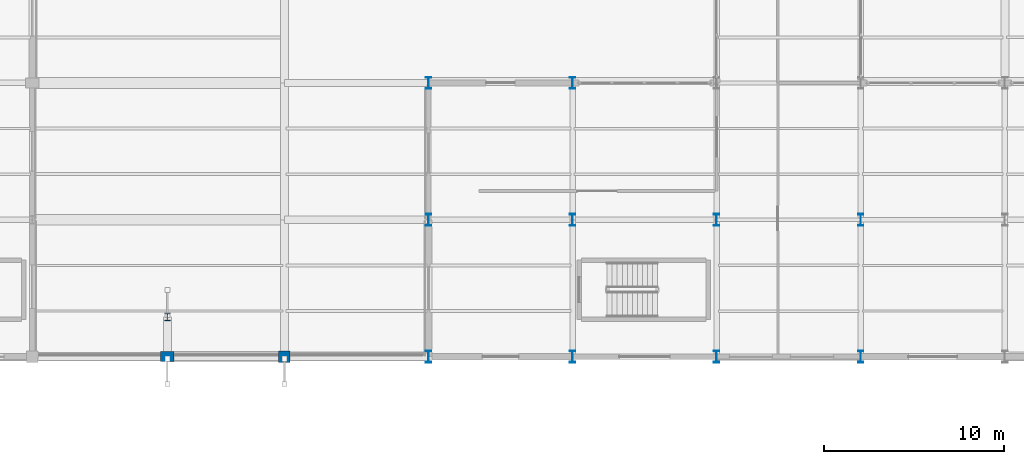
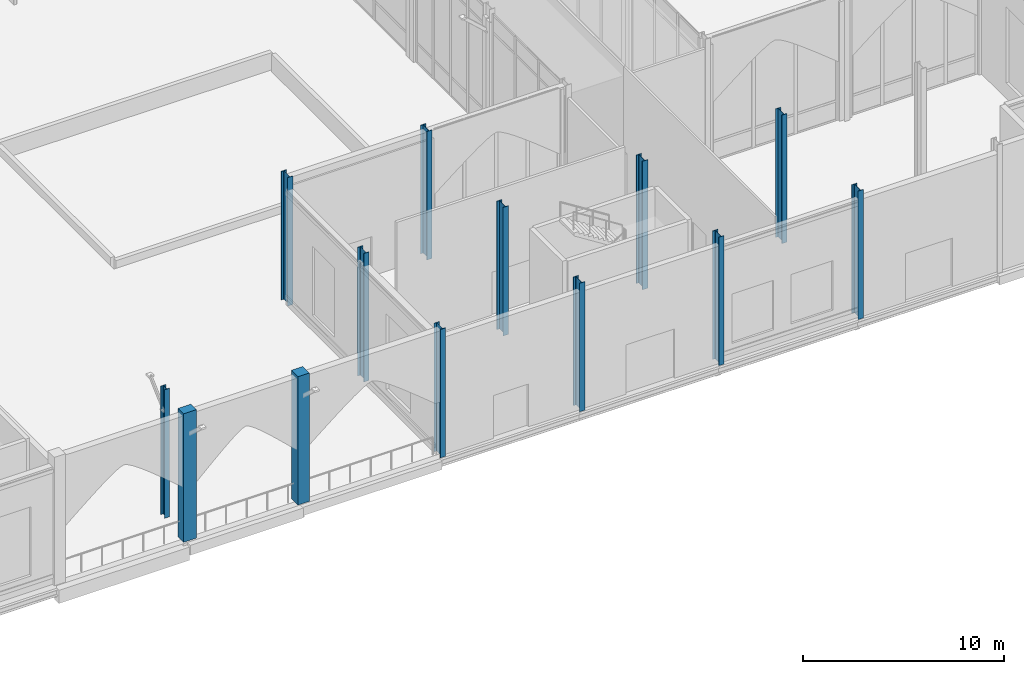
# One storey, part 5 of 176: 13 columns.
"""IFC4 building model written with IfcOpenShell, lengths in metres."""

import ifcopenshell
import ifcopenshell.guid

model = None  # the IFC model being written
_history = None  # IfcOwnerHistory: only IFC2X3 demands one
_inside = {}  # id of a spatial element -> (the spatial element, [elements in it])
_under = {}  # id of a project, library or spatial element -> (it, [spatial elements below it])
_declared = {}  # id of a project -> (the project, [libraries it declares])
_typed = {}  # id of a type object -> (the type object, [elements of that type])
_made_of = {}  # id of a material, layer set ... -> (it, [elements and type objects made of it])


def new_model(schema):
    """Start an empty IFC model of exactly this schema.

    Asked for "IFC4X3", IfcOpenShell would pick the latest addendum, in which some entities
    have other attributes; the version numbers below select the first issue.
    IFC2X3 requires an IfcOwnerHistory on every rooted entity: one is made here for all.
    """
    global model, _history
    if schema == "IFC4X3":
        model = ifcopenshell.file(schema_version=(4, 3, 0, 0))
    else:
        model = ifcopenshell.file(schema=schema)
    _inside.clear()
    _under.clear()
    _declared.clear()
    _typed.clear()
    _made_of.clear()
    _history = None
    if model.schema == "IFC2X3":
        org = make("IfcOrganization", Name="unknown")
        user = make(
            "IfcPersonAndOrganization",
            ThePerson=make("IfcPerson", FamilyName="unknown"),
            TheOrganization=org,
        )
        app = make(
            "IfcApplication",
            ApplicationDeveloper=org,
            Version="unknown",
            ApplicationFullName="unknown",
            ApplicationIdentifier="unknown",
        )
        _history = make(
            "IfcOwnerHistory",
            OwningUser=user,
            OwningApplication=app,
            ChangeAction="ADDED",
            CreationDate=0,
        )
    return model


def make(cls, **values):
    """One entity of the class cls with the attributes given. An attribute that is None is left unset."""
    return model.create_entity(
        cls, **{name: value for name, value in values.items() if value is not None}
    )


def rooted(cls, **values):
    """An entity with a GlobalId (a new one), such as an element, a storey or a relation."""
    return make(cls, GlobalId=ifcopenshell.guid.new(), OwnerHistory=_history, **values)


def si_unit(unit_type, name, prefix=None):
    """IfcSIUnit, for example si_unit("LENGTHUNIT", "METRE", prefix="MILLI")."""
    return make("IfcSIUnit", UnitType=unit_type, Prefix=prefix, Name=name)


def assignment(units):
    """IfcUnitAssignment: the units of a project."""
    return None if units is None else make("IfcUnitAssignment", Units=units)


def point(xyz):
    """IfcCartesianPoint."""
    return None if xyz is None else make("IfcCartesianPoint", Coordinates=xyz)


def direction(xyz):
    """IfcDirection."""
    return None if xyz is None else make("IfcDirection", DirectionRatios=xyz)


def frame(location, z_axis=None, x_axis=None):
    """IfcAxis2Placement3D, a coordinate frame: its origin and axes. An axis left out is left unset."""
    return make(
        "IfcAxis2Placement3D",
        Location=point(location),
        Axis=direction(z_axis),
        RefDirection=direction(x_axis),
    )


def frame_2d(location, x_axis=None):
    """IfcAxis2Placement2D, a coordinate frame in the plane: its origin and x axis."""
    return make(
        "IfcAxis2Placement2D", Location=point(location), RefDirection=direction(x_axis)
    )


def origin():
    """The frame at (0, 0, 0) with its axes left unset."""
    return frame((0.0, 0.0, 0.0))


def origin_2d():
    """The frame at (0, 0) in the plane with its x axis left unset."""
    return frame_2d((0.0, 0.0))


def place(relative_to, where):
    """IfcLocalPlacement: puts the frame where relative to a parent placement (None: the world)."""
    return make(
        "IfcLocalPlacement", PlacementRelTo=relative_to, RelativePlacement=where
    )


def context(
    kind, dimensions, precision=None, world=None, true_north=None, identifier=None
):
    """IfcGeometricRepresentationContext, for example the 3D "Model" context."""
    return make(
        "IfcGeometricRepresentationContext",
        ContextIdentifier=identifier,
        ContextType=kind,
        CoordinateSpaceDimension=dimensions,
        Precision=precision,
        WorldCoordinateSystem=world,
        TrueNorth=true_north,
    )


def subcontext(parent, identifier, kind, view, scale=None):
    """IfcGeometricRepresentationSubContext, for example "Body" below "Model"."""
    return make(
        "IfcGeometricRepresentationSubContext",
        ContextIdentifier=identifier,
        ContextType=kind,
        ParentContext=parent,
        TargetScale=scale,
        TargetView=view,
    )


def project(units=None, contexts=None):
    """IfcProject with its units and contexts."""
    return rooted(
        "IfcProject",
        Name="project",
        RepresentationContexts=contexts,
        UnitsInContext=assignment(units),
    )


def spatial(cls, under=None, at=None, **own):
    """A site, building, storey or space (cls), placed at a placement, below another one or the project."""
    s = rooted(cls, ObjectPlacement=at, **own)
    if under is not None:
        _under.setdefault(under.id(), (under, []))[1].append(s)
    return s


def profile(cls, at=None, kind="AREA", **sizes):
    """A parametric profile (cls). Its sizes go by their IFC names, for example OverallWidth=200.0."""
    return make(cls, ProfileType=kind, Position=at, **sizes)


def rectangle(**sizes):
    """IfcRectangleProfileDef."""
    return profile("IfcRectangleProfileDef", **sizes)


def i_section(**sizes):
    """IfcIShapeProfileDef."""
    return profile("IfcIShapeProfileDef", **sizes)


def extrude(swept, where, along, depth):
    """IfcExtrudedAreaSolid: the profile swept, set in the frame where, extruded along a direction by depth."""
    return make(
        "IfcExtrudedAreaSolid",
        SweptArea=swept,
        Position=where,
        ExtrudedDirection=direction(along),
        Depth=depth,
    )


def shape(context_of_items, identifier, shape_type, items):
    """IfcShapeRepresentation: the items that make up one representation, for example the "Body"."""
    return make(
        "IfcShapeRepresentation",
        ContextOfItems=context_of_items,
        RepresentationIdentifier=identifier,
        RepresentationType=shape_type,
        Items=items,
    )


def material(Name=None, Category=None):
    """IfcMaterial."""
    return make("IfcMaterial", Name=Name, Category=Category)


def material_profile(
    of_material, cross_section, Name=None, Category=None, Priority=None
):
    """IfcMaterialProfile: a cross section and its material."""
    return make(
        "IfcMaterialProfile",
        Name=Name,
        Material=of_material,
        Profile=cross_section,
        Priority=Priority,
        Category=Category,
    )


def profile_set(profiles, Name=None, composite=None):
    """IfcMaterialProfileSet."""
    return make(
        "IfcMaterialProfileSet",
        Name=Name,
        MaterialProfiles=profiles,
        CompositeProfile=composite,
    )


def made_of(thing, what):
    """Note that an element or type object is made of a material, layer set ...; save() writes the relation."""
    if what is not None:
        _made_of.setdefault(what.id(), (what, []))[1].append(thing)
    return thing


def type_object(cls, material=None, **own):
    """A type object (cls), such as IfcWallType, which elements share."""
    return made_of(rooted(cls, **own), material)


def element(
    cls,
    number,
    at=None,
    inside=None,
    cuts=None,
    type_object=None,
    material=None,
    context=None,
    identifier="Body",
    shape_type=None,
    held_by="IfcProductDefinitionShape",
    body=None,
    shapes=None,
    **own,
):
    """One element of the class cls, such as IfcWall. Its Tag is "e" and its number.

    at: its placement. inside: the storey or other place that contains it. cuts: it is an
    opening in that element (IfcRelVoidsElement). A single representation is given by context,
    identifier, shape_type and body (its items); several are given by shapes. held_by: the class
    of the entity that holds the representations. save() writes the other relations.
    """
    e = rooted(cls, Tag="e%d" % number, ObjectPlacement=at, **own)
    if body is not None:
        shapes = [shape(context, identifier, shape_type, body)]
    if shapes is not None:
        e.Representation = make(held_by, Representations=shapes)
    if inside is not None:
        _inside.setdefault(inside.id(), (inside, []))[1].append(e)
    if cuts is not None:
        rooted(
            "IfcRelVoidsElement", RelatingBuildingElement=cuts, RelatedOpeningElement=e
        )
    if type_object is not None:
        _typed.setdefault(type_object.id(), (type_object, []))[1].append(e)
    return made_of(e, material)


def aggregate(whole, parts):
    """IfcRelAggregates: a whole, such as a stair, and the parts it consists of."""
    return rooted("IfcRelAggregates", RelatingObject=whole, RelatedObjects=parts)


def save(model, path):
    """Write the relations noted so far, then the file.

    IfcRelAggregates (storeys below a building ...), IfcRelContainedInSpatialStructure (elements
    in a storey), IfcRelDefinesByType, IfcRelAssociatesMaterial and IfcRelDeclares: one each for
    every whole, place, type object, material and project.
    """
    for whole, parts in _under.values():
        aggregate(whole, parts)
    for where, things in _inside.values():
        rooted(
            "IfcRelContainedInSpatialStructure",
            RelatedElements=things,
            RelatingStructure=where,
        )
    for kind, things in _typed.values():
        rooted("IfcRelDefinesByType", RelatedObjects=things, RelatingType=kind)
    for what, things in _made_of.values():
        rooted("IfcRelAssociatesMaterial", RelatedObjects=things, RelatingMaterial=what)
    for by, libraries in _declared.values():
        rooted("IfcRelDeclares", RelatingContext=by, RelatedDefinitions=libraries)
    model.write(path)


model = new_model("IFC4")

# Units and contexts
model_context = context("Model", 3, precision=1e-05, world=origin(), true_north=direction((0.0, 1.0)))
body_context = subcontext(model_context, "Body", "Model", "MODEL_VIEW")
ifc_project = project(units=[si_unit("LENGTHUNIT", "METRE"), si_unit("AREAUNIT", "SQUARE_METRE"), si_unit("VOLUMEUNIT", "CUBIC_METRE"), si_unit("PLANEANGLEUNIT", "RADIAN"), si_unit("MASSUNIT", "GRAM", prefix="KILO")], contexts=[model_context])

# Site, building, storey
site_placement = place(None, origin())
site = spatial("IfcSite", under=ifc_project, at=site_placement, CompositionType="ELEMENT")
building_placement = place(site_placement, origin())
building = spatial("IfcBuilding", under=site, at=building_placement, Name="Vekula Escarpment Museum", CompositionType="ELEMENT")
storey_placement = place(building_placement, origin())
storey = spatial("IfcBuildingStorey", under=building, at=storey_placement, Name="L01", CompositionType="ELEMENT", Elevation=0.0)

# Columns
ifc_material_1 = material(Name="Steel S355", Category="steel")
ifc_material_profile_1 = material_profile(ifc_material_1, i_section(OverallWidth=0.300048828125, OverallDepth=0.389892578125, WebThickness=0.010986328125, FlangeThickness=0.01904296875, FilletRadius=0.027099609375, at=origin_2d()), Name="HEA 400")
ifc_profile_set_1 = profile_set([ifc_material_profile_1], Name="Steel S355")
column_type_1 = type_object("IfcColumnType", Name="COL-S-HEA400", PredefinedType="COLUMN", material=ifc_profile_set_1)
column_1_placement = place(storey_placement, frame((63.5, 2.199951171875, 0.0), z_axis=(0.0, 0.0, 1.0), x_axis=(1.0, 0.0, 0.0)))
element("IfcColumn", 1, at=column_1_placement, inside=storey, type_object=column_type_1, Name="Column L01 (63.5,2.2)", PredefinedType="COLUMN", context=body_context, shape_type="SweptSolid", body=[
    extrude(i_section(OverallWidth=0.300048828125, OverallDepth=0.389892578125, WebThickness=0.010986328125, FlangeThickness=0.01904296875, FilletRadius=0.027099609375, at=origin_2d()), origin(), (0.0, 0.0, 1.0), 7.800048828125),
])
ifc_material_2 = material(Name="Steel S355", Category="steel")
ifc_material_profile_2 = material_profile(ifc_material_2, i_section(OverallWidth=0.300048828125, OverallDepth=0.64990234375, WebThickness=0.01611328125, FlangeThickness=0.031005859375, FilletRadius=0.027099609375, at=origin_2d()), Name="HEB 650")
ifc_profile_set_2 = profile_set([ifc_material_profile_2], Name="Steel S355")
column_type_2 = type_object("IfcColumnType", Name="COL-S-HEB650", PredefinedType="COLUMN", material=ifc_profile_set_2)
for number, where, z_axis, x_axis, name in (
    (2, (78.0, 0.0, 0.0), (0.0, 0.0, 1.0), (1.0, 0.0, 0.0), "Column L01 (78.0,0.0)"),
    (3, (78.0, 7.60009765625, 0.0), (0.0, 0.0, 1.0), (1.0, 0.0, 0.0), "Column L01 (78.0,7.6)"),
    (4, (78.0, 15.199951171875, 0.0), (0.0, 0.0, 1.0), (1.0, 0.0, 0.0), "Column L01 (78.0,15.2)"),
    (5, (86.0, 0.0, 0.0), (0.0, 0.0, 1.0), (1.0, 0.0, 0.0), "Column L01 (86.0,0.0)"),
    (6, (86.0, 7.60009765625, 0.0), (0.0, 0.0, 1.0), (1.0, 0.0, 0.0), "Column L01 (86.0,7.6)"),
    (7, (86.0, 15.199951171875, 0.0), (0.0, 0.0, 1.0), (1.0, 0.0, 0.0), "Column L01 (86.0,15.2)"),
    (8, (94.0, 0.0, 0.0), (0.0, 0.0, 1.0), (1.0, 0.0, 0.0), "Column L01 (94.0,0.0)"),
    (9, (94.0, 7.60009765625, 0.0), (0.0, 0.0, 1.0), (1.0, 0.0, 0.0), "Column L01 (94.0,7.6)"),
    (10, (102.0, 0.0, 0.0), (0.0, 0.0, 1.0), (1.0, 0.0, 0.0), "Column L01 (102.0,0.0)"),
    (11, (102.0, 7.60009765625, 0.0), (0.0, 0.0, 1.0), (1.0, 0.0, 0.0), "Column L01 (102.0,7.6)"),
):
    element("IfcColumn", number, at=place(storey_placement, frame(where, z_axis=z_axis, x_axis=x_axis)), inside=storey, type_object=column_type_2, Name=name, PredefinedType="COLUMN", context=body_context, shape_type="SweptSolid", body=[
        extrude(i_section(OverallWidth=0.300048828125, OverallDepth=0.64990234375, WebThickness=0.01611328125, FlangeThickness=0.031005859375, FilletRadius=0.027099609375, at=origin_2d()), origin(), (0.0, 0.0, 1.0), 7.800048828125),
    ])
ifc_material_3 = material(Name="Inkisi arkosic sandstone masonry", Category="masonry")
ifc_material_profile_3 = material_profile(ifc_material_3, rectangle(XDim=0.64990234375, YDim=0.64990234375, at=origin_2d()), Name="PIER 650x650")
ifc_profile_set_3 = profile_set([ifc_material_profile_3], Name="Inkisi arkosic sandstone masonry")
column_type_3 = type_object("IfcColumnType", Name="PIL-ALM-650", PredefinedType="PILASTER", material=ifc_profile_set_3)
column_2_placement = place(storey_placement, frame((70.0, 0.0, 0.0), z_axis=(0.0, 0.0, 1.0), x_axis=(1.0, 0.0, 0.0)))
element("IfcColumn", 12, at=column_2_placement, inside=storey, type_object=column_type_3, Name="Column L01 (70.0,0.0)", PredefinedType="PILASTER", context=body_context, shape_type="SweptSolid", body=[
    extrude(rectangle(XDim=0.64990234375, YDim=0.64990234375, at=origin_2d()), origin(), (0.0, 0.0, 1.0), 7.800048828125),
])
ifc_material_4 = material(Name="Inkisi arkosic sandstone masonry", Category="masonry")
ifc_material_profile_4 = material_profile(ifc_material_4, rectangle(XDim=0.75, YDim=0.550048828125, at=origin_2d()), Name="PIER 750x550")
ifc_profile_set_4 = profile_set([ifc_material_profile_4], Name="Inkisi arkosic sandstone masonry")
column_type_4 = type_object("IfcColumnType", Name="PIL-ALM-750", PredefinedType="PILASTER", material=ifc_profile_set_4)
column_3_placement = place(storey_placement, frame((63.5, 0.0, 0.0), z_axis=(0.0, 0.0, 1.0), x_axis=(1.0, 0.0, 0.0)))
element("IfcColumn", 13, at=column_3_placement, inside=storey, type_object=column_type_4, Name="Column L01 (63.5,0.0)", PredefinedType="PILASTER", context=body_context, shape_type="SweptSolid", body=[
    extrude(rectangle(XDim=0.75, YDim=0.550048828125, at=origin_2d()), origin(), (0.0, 0.0, 1.0), 7.800048828125),
])

save(model, "model.ifc")
